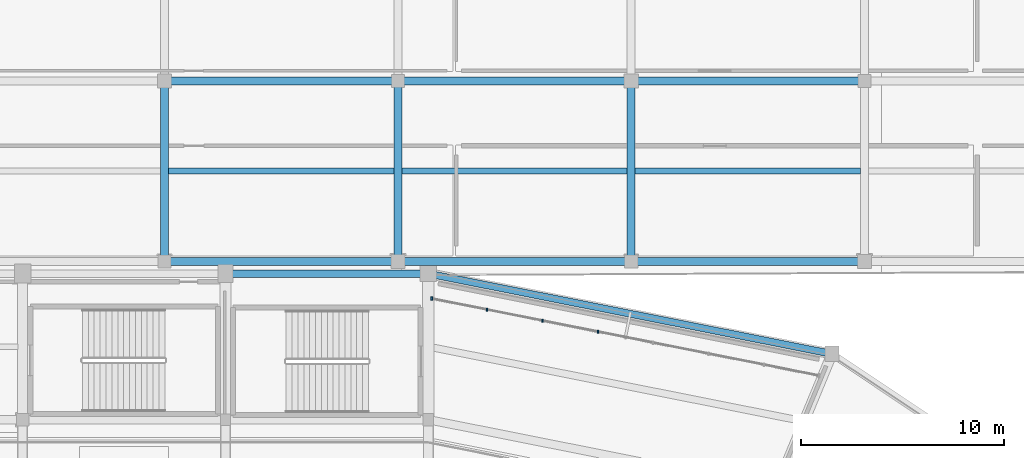
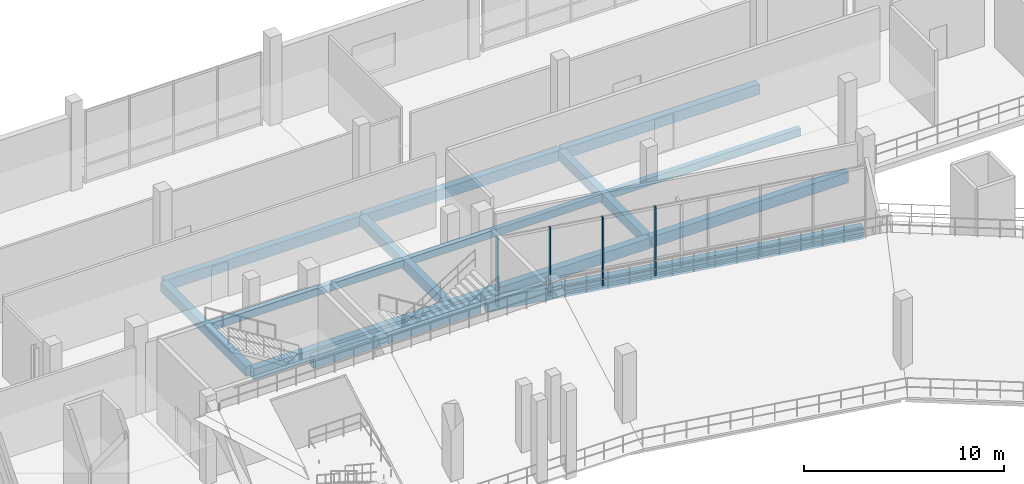
# One storey, part 56 of 127: 14 beams, 4 members, 1 element without a shape of its own.
"""IFC4 building model written with IfcOpenShell, lengths in metres."""

from ifc_helpers import new_model, si_unit, direction, frame, origin, origin_2d, place, context, subcontext, project, spatial, rectangle, extrude, material, material_profile, profile_set, type_object, element, aggregate, save


model = new_model("IFC4")

# Units and contexts
model_context = context("Model", 3, precision=1e-05, world=origin(), true_north=direction((0.0, 1.0)))
body_context = subcontext(model_context, "Body", "Model", "MODEL_VIEW")
ifc_project = project(units=[si_unit("LENGTHUNIT", "METRE"), si_unit("AREAUNIT", "SQUARE_METRE"), si_unit("VOLUMEUNIT", "CUBIC_METRE"), si_unit("PLANEANGLEUNIT", "RADIAN"), si_unit("MASSUNIT", "GRAM", prefix="KILO")], contexts=[model_context])

# Site, building, storey
site_placement = place(None, origin())
site = spatial("IfcSite", under=ifc_project, at=site_placement, CompositionType="ELEMENT")
building_placement = place(site_placement, origin())
building = spatial("IfcBuilding", under=site, at=building_placement, Name="Candeia Ridge Stadium", CompositionType="ELEMENT")
storey_placement = place(building_placement, frame((0.0, 0.0, 10.800048828125)))
storey = spatial("IfcBuildingStorey", under=building, at=storey_placement, Name="L02", CompositionType="ELEMENT", Elevation=10.800048828125)

# Curtain wall, members
ifc_material_1 = material(Name="Aluminium Anodized Warm Bronze", Category="aluminium")
curtain_wall_type = type_object("IfcCurtainWallType", Name="Concourse Recessed Unitised Curtain Wall", PredefinedType="NOTDEFINED", material=ifc_material_1)
curtain_wall_placement = place(storey_placement, origin())
curtain_wall = element("IfcCurtainWall", 1, at=curtain_wall_placement, inside=storey, type_object=curtain_wall_type, Name="Unitised curtain wall CW-BWL-L02-35", PredefinedType="NOTDEFINED")
ifc_material_profile_1 = material_profile(ifc_material_1, rectangle(XDim=0.090087890625, YDim=0.179931640625, at=origin_2d()), Name="CWM-90x180", Category="aluminium")
ifc_profile_set_1 = profile_set([ifc_material_profile_1], Name="Aluminium Anodized Warm Bronze")
member_type_1 = type_object("IfcMemberType", Name="Curtain Wall Primary Mullion 90x180", PredefinedType="MULLION", material=ifc_profile_set_1)
member_1_placement = place(storey_placement, frame((141.176513671875, 145.764892578125, 0.0), z_axis=(0.0, 0.0, 1.0), x_axis=(1.0, 0.0, 0.0)))
member_1 = element("IfcMember", 2, at=member_1_placement, type_object=member_type_1, Name="Curtain wall mullion CW-BWL-L02-35-M7", PredefinedType="MULLION", context=body_context, shape_type="SweptSolid", body=[
    extrude(rectangle(XDim=0.090087890625, YDim=0.179931640625, at=origin_2d()), origin(), (0.0, 0.0, 1.0), 4.21484375),
])
ifc_material_profile_2 = material_profile(ifc_material_1, rectangle(XDim=0.074951171875, YDim=0.14990234375, at=origin_2d()), Name="CWM-75x150", Category="aluminium")
ifc_profile_set_2 = profile_set([ifc_material_profile_2], Name="Aluminium Anodized Warm Bronze")
member_type_2 = type_object("IfcMemberType", Name="Curtain Wall Secondary Mullion 75x150", PredefinedType="MULLION", material=ifc_profile_set_2)
member_2_placement = place(storey_placement, frame((149.356689453125, 144.1376953125, 0.0), z_axis=(0.0, 0.0, 1.0), x_axis=(1.0, 0.0, 0.0)))
member_2 = element("IfcMember", 3, at=member_2_placement, type_object=member_type_2, Name="Curtain wall mullion CW-BWL-L02-35-M4", PredefinedType="MULLION", context=body_context, shape_type="SweptSolid", body=[
    extrude(rectangle(XDim=0.074951171875, YDim=0.14990234375, at=origin_2d()), origin(), (0.0, 0.0, 1.0), 4.21484375),
])
member_3_placement = place(storey_placement, frame((146.6298828125, 144.68017578125, 0.0), z_axis=(0.0, 0.0, 1.0), x_axis=(1.0, 0.0, 0.0)))
member_3 = element("IfcMember", 4, at=member_3_placement, type_object=member_type_2, Name="Curtain wall mullion CW-BWL-L02-35-M5", PredefinedType="MULLION", context=body_context, shape_type="SweptSolid", body=[
    extrude(rectangle(XDim=0.074951171875, YDim=0.14990234375, at=origin_2d()), origin(), (0.0, 0.0, 1.0), 4.21484375),
])
member_4_placement = place(storey_placement, frame((143.9033203125, 145.222412109375, 0.0), z_axis=(0.0, 0.0, 1.0), x_axis=(1.0, 0.0, 0.0)))
member_4 = element("IfcMember", 5, at=member_4_placement, type_object=member_type_2, Name="Curtain wall mullion CW-BWL-L02-35-M6", PredefinedType="MULLION", context=body_context, shape_type="SweptSolid", body=[
    extrude(rectangle(XDim=0.074951171875, YDim=0.14990234375, at=origin_2d()), origin(), (0.0, 0.0, 1.0), 4.21484375),
])
aggregate(curtain_wall, [member_2, member_3, member_4, member_1])

# Beams
ifc_material_2 = material(Name="Concrete C40/50", Category="concrete")
ifc_material_profile_3 = material_profile(ifc_material_2, rectangle(XDim=0.300048828125, YDim=0.449951171875, at=origin_2d()), Name="RC300x450", Category="concrete")
ifc_profile_set_3 = profile_set([ifc_material_profile_3], Name="Concrete C40/50")
beam_type_1 = type_object("IfcBeamType", Name="Floor Joist RC300x450", PredefinedType="JOIST", material=ifc_profile_set_3)
for number, where, z_axis, x_axis, name in (
    (6, (128.199462890625, 152.050048828125, -0.485107421875), (1.0, 0.0, 0.0), (0.0, 1.0, 0.0), "Wing secondary joist BM-L02-1752"),
    (7, (139.699462890625, 152.050048828125, -0.485107421875), (1.0, 0.0, 0.0), (0.0, 1.0, 0.0), "Wing secondary joist BM-L02-1757"),
    (8, (151.199462890625, 152.050048828125, -0.485107421875), (1.0, 0.0, 0.0), (0.0, 1.0, 0.0), "Wing secondary joist BM-L02-1762"),
):
    element("IfcBeam", number, at=place(storey_placement, frame(where, z_axis=z_axis, x_axis=x_axis)), inside=storey, type_object=beam_type_1, Name=name, PredefinedType="JOIST", context=body_context, shape_type="SweptSolid", body=[
        extrude(rectangle(XDim=0.300048828125, YDim=0.449951171875, at=origin_2d()), origin(), (0.0, 0.0, 1.0), 11.10107421875),
    ])
ifc_material_profile_4 = material_profile(ifc_material_2, rectangle(XDim=0.39990234375, YDim=0.60009765625, at=origin_2d()), Name="RC400x600", Category="concrete")
ifc_profile_set_4 = profile_set([ifc_material_profile_4], Name="Concrete C40/50")
beam_type_2 = type_object("IfcBeamType", Name="Frame Girder RC400x600", PredefinedType="BEAM", material=ifc_profile_set_4)
for number, where, z_axis, x_axis, name in (
    (9, (128.0, 147.760009765625, -0.56005859375), (0.0, 1.0, 0.0), (-1.0, 0.0, 0.0), "Structural girder BM-L02-1734"),
    (10, (139.5, 147.760009765625, -0.56005859375), (0.0, 1.0, 0.0), (-1.0, 0.0, 0.0), "Structural girder BM-L02-1736"),
    (11, (151.0, 147.760009765625, -0.56005859375), (0.0, 1.0, 0.0), (-1.0, 0.0, 0.0), "Structural girder BM-L02-1738"),
):
    element("IfcBeam", number, at=place(storey_placement, frame(where, z_axis=z_axis, x_axis=x_axis)), inside=storey, type_object=beam_type_2, Name=name, PredefinedType="BEAM", context=body_context, shape_type="SweptSolid", body=[
        extrude(rectangle(XDim=0.39990234375, YDim=0.60009765625, at=origin_2d()), origin(), (0.0, 0.0, 1.0), 8.580078125),
    ])
ifc_material_3 = material(Name="Concrete C45/55", Category="concrete")
ifc_material_profile_5 = material_profile(ifc_material_3, rectangle(XDim=0.35009765625, YDim=0.75, at=origin_2d()), Name="RC350x750", Category="concrete")
ifc_profile_set_5 = profile_set([ifc_material_profile_5], Name="Concrete C45/55")
beam_type_3 = type_object("IfcBeamType", Name="Spandrel Beam RC350x750", PredefinedType="SPANDREL", material=ifc_profile_set_5)
beam_1_placement = place(storey_placement, frame((160.74267578125, 143.072998046875, -0.635009765625), z_axis=(-0.980786091775, 0.195086242929, 0.0), x_axis=(-0.195086242929, -0.980786091775, 0.0)))
element("IfcBeam", 12, at=beam_1_placement, inside=storey, type_object=beam_type_3, Name="Bowl perimeter spandrel BM-L02-0478", PredefinedType="SPANDREL", context=body_context, shape_type="SweptSolid", body=[
    extrude(rectangle(XDim=0.35009765625, YDim=0.75, at=origin_2d()), origin(), (0.0, 0.0, 1.0), 19.969482421875),
])
ifc_material_profile_6 = material_profile(ifc_material_3, rectangle(XDim=0.360107421875, YDim=0.719970703125, at=origin_2d()), Name="RC360x720", Category="concrete")
ifc_profile_set_6 = profile_set([ifc_material_profile_6], Name="Concrete C45/55")
beam_type_4 = type_object("IfcBeamType", Name="Spandrel Beam RC360x720", PredefinedType="SPANDREL", material=ifc_profile_set_6)
beam_2_placement = place(storey_placement, frame((140.840087890625, 147.0, -0.6201171875), z_axis=(-1.0, 0.0, 0.0), x_axis=(0.0, -1.0, 0.0)))
element("IfcBeam", 13, at=beam_2_placement, inside=storey, type_object=beam_type_4, Name="Bowl perimeter spandrel BM-L02-0315", PredefinedType="SPANDREL", context=body_context, shape_type="SweptSolid", body=[
    extrude(rectangle(XDim=0.360107421875, YDim=0.719970703125, at=origin_2d()), origin(), (0.0, 0.0, 1.0), 9.68017578125),
])
ifc_material_profile_7 = material_profile(ifc_material_2, rectangle(XDim=0.39990234375, YDim=0.64990234375, at=origin_2d()), Name="RC400x650", Category="concrete")
ifc_profile_set_7 = profile_set([ifc_material_profile_7], Name="Concrete C40/50")
beam_type_5 = type_object("IfcBeamType", Name="Wing Primary Girder RC400x650", PredefinedType="BEAM", material=ifc_profile_set_7)
for number, where, z_axis, x_axis, name in (
    (14, (128.050048828125, 147.60009765625, -0.5849609375), (1.0, 0.0, 0.0), (0.0, 1.0, 0.0), "Structural girder BM-L02-1751"),
    (15, (128.050048828125, 156.5, -0.5849609375), (1.0, 0.0, 0.0), (0.0, 1.0, 0.0), "Structural girder BM-L02-1753"),
    (16, (139.550048828125, 147.60009765625, -0.5849609375), (1.0, 0.0, 0.0), (0.0, 1.0, 0.0), "Structural girder BM-L02-1756"),
    (17, (139.550048828125, 156.5, -0.5849609375), (1.0, 0.0, 0.0), (0.0, 1.0, 0.0), "Structural girder BM-L02-1758"),
    (18, (151.050048828125, 147.60009765625, -0.5849609375), (1.0, 0.0, 0.0), (0.0, 1.0, 0.0), "Structural girder BM-L02-1761"),
    (19, (151.050048828125, 156.5, -0.5849609375), (1.0, 0.0, 0.0), (0.0, 1.0, 0.0), "Structural girder BM-L02-1763"),
):
    element("IfcBeam", number, at=place(storey_placement, frame(where, z_axis=z_axis, x_axis=x_axis)), inside=storey, type_object=beam_type_5, Name=name, PredefinedType="BEAM", context=body_context, shape_type="SweptSolid", body=[
        extrude(rectangle(XDim=0.39990234375, YDim=0.64990234375, at=origin_2d()), origin(), (0.0, 0.0, 1.0), 11.39990234375),
    ])

save(model, "model.ifc")
